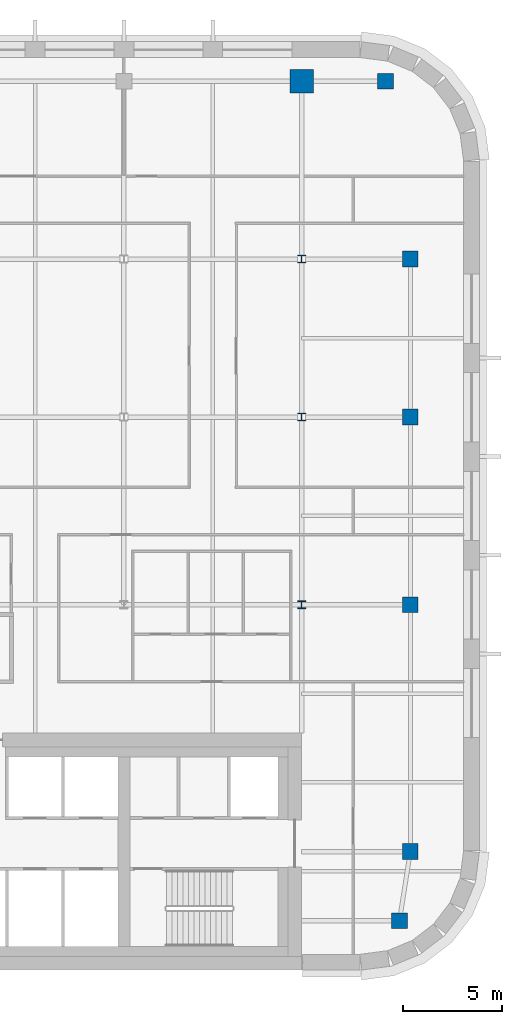
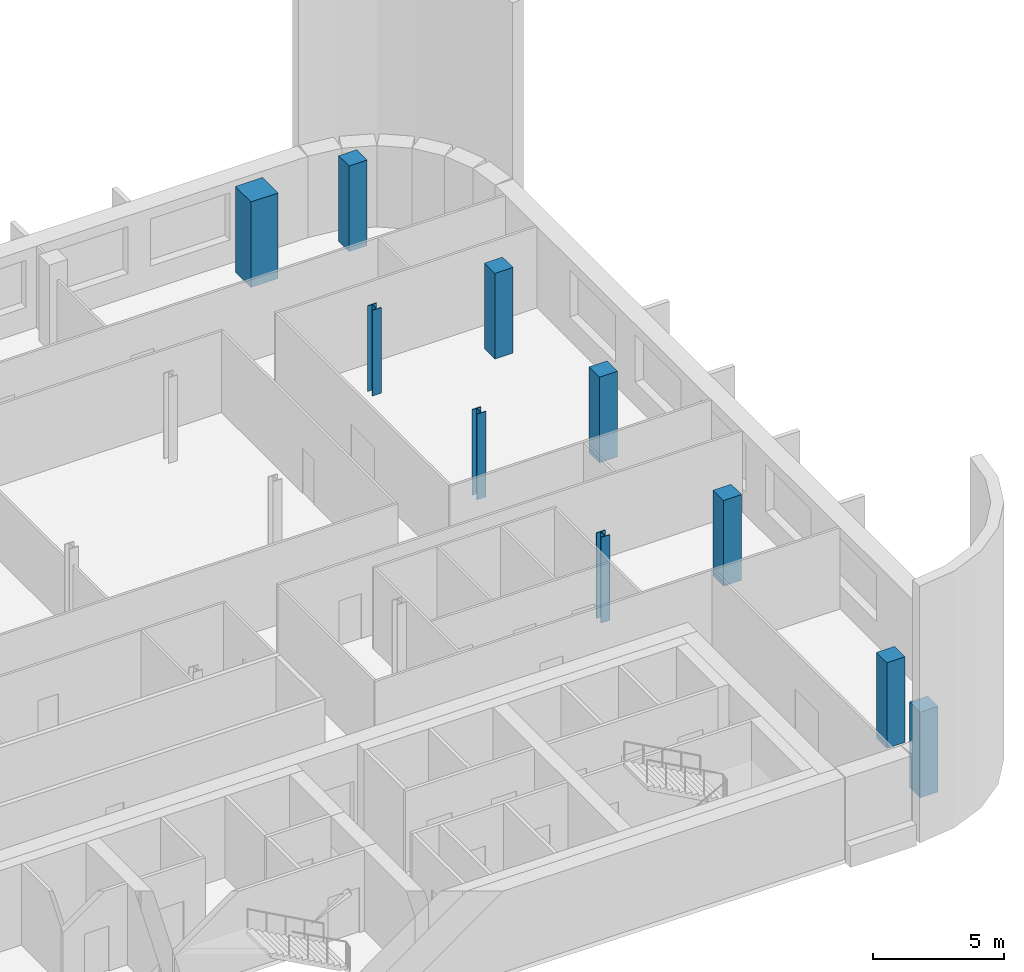
# One storey, part 4 of 17: 10 columns.
"""IFC4 building model written with IfcOpenShell, lengths in metres."""

from ifc_helpers import new_model, si_unit, direction, frame, origin, origin_2d, place, context, subcontext, project, spatial, rectangle, i_section, extrude, material, material_profile, profile_set, type_object, element, save


model = new_model("IFC4")

# Units and contexts
model_context = context("Model", 3, precision=1e-05, world=origin(), true_north=direction((0.0, 1.0)))
body_context = subcontext(model_context, "Body", "Model", "MODEL_VIEW")
ifc_project = project(units=[si_unit("LENGTHUNIT", "METRE"), si_unit("AREAUNIT", "SQUARE_METRE"), si_unit("VOLUMEUNIT", "CUBIC_METRE"), si_unit("PLANEANGLEUNIT", "RADIAN"), si_unit("MASSUNIT", "GRAM", prefix="KILO")], contexts=[model_context])

# Site, building, storey
site_placement = place(None, origin())
site = spatial("IfcSite", under=ifc_project, at=site_placement, CompositionType="ELEMENT")
building_placement = place(site_placement, origin())
building = spatial("IfcBuilding", under=site, at=building_placement, Name="Zellij Exchange Tower", CompositionType="ELEMENT")
storey_placement = place(building_placement, frame((0.0, 0.0, 232.5)))
storey = spatial("IfcBuildingStorey", under=building, at=storey_placement, Name="L54", CompositionType="ELEMENT", Elevation=232.5)

# Columns
ifc_material_1 = material(Name="Concrete C50/60", Category="concrete")
ifc_material_profile_1 = material_profile(ifc_material_1, rectangle(XDim=0.800048828125, YDim=0.800048828125, at=origin_2d()), Name="STR-COLUMN RC800x800 C50/60")
ifc_profile_set_1 = profile_set([ifc_material_profile_1], Name="Concrete C50/60")
column_type_1 = type_object("IfcColumnType", Name="STR-COLUMN RC800x800 C50/60", PredefinedType="COLUMN", material=ifc_profile_set_1)
for number, where, z_axis, x_axis, name in (
    (1, (31.949951171875, -11.5, 0.0), (0.0, 0.0, 1.0), (1.0, 0.0, 0.0), "C15"),
    (2, (32.5, -8.0, 0.0), (0.0, 0.0, 1.0), (1.0, 0.0, 0.0), "C15"),
    (3, (32.5, 4.5, 0.0), (0.0, 0.0, 1.0), (1.0, 0.0, 0.0), "C15"),
    (4, (32.5, 14.0, 0.0), (0.0, 0.0, 1.0), (1.0, 0.0, 0.0), "C15"),
    (5, (32.5, 22.0, 0.0), (0.0, 0.0, 1.0), (1.0, 0.0, 0.0), "C15"),
    (6, (31.25, 31.0, 0.0), (0.0, 0.0, 1.0), (1.0, 0.0, 0.0), "C15"),
):
    element("IfcColumn", number, at=place(storey_placement, frame(where, z_axis=z_axis, x_axis=x_axis)), inside=storey, type_object=column_type_1, Name=name, PredefinedType="COLUMN", context=body_context, shape_type="SweptSolid", body=[
        extrude(rectangle(XDim=0.800048828125, YDim=0.800048828125, at=origin_2d()), origin(), (0.0, 0.0, 1.0), 4.0),
    ])
ifc_material_2 = material(Name="Structural steel ASTM A992 Gr 50", Category="steel")
ifc_material_profile_2 = material_profile(ifc_material_2, i_section(OverallWidth=0.398681640625, OverallDepth=0.385986328125, WebThickness=0.02099609375, FlangeThickness=0.033203125, at=origin_2d()), Name="W14x176")
ifc_profile_set_2 = profile_set([ifc_material_profile_2], Name="Structural steel ASTM A992 Gr 50")
column_type_2 = type_object("IfcColumnType", Name="STR-COLUMN W14x176", PredefinedType="COLUMN", material=ifc_profile_set_2)
for number, where, z_axis, x_axis, name in (
    (7, (27.0, 4.5, 0.0), (0.0, 0.0, 1.0), (1.0, 0.0, 0.0), "C2"),
    (8, (27.0, 14.0, 0.0), (0.0, 0.0, 1.0), (1.0, 0.0, 0.0), "C2"),
    (9, (27.0, 22.0, 0.0), (0.0, 0.0, 1.0), (1.0, 0.0, 0.0), "C2"),
):
    element("IfcColumn", number, at=place(storey_placement, frame(where, z_axis=z_axis, x_axis=x_axis)), inside=storey, type_object=column_type_2, Name=name, PredefinedType="COLUMN", context=body_context, shape_type="SweptSolid", body=[
        extrude(i_section(OverallWidth=0.398681640625, OverallDepth=0.385986328125, WebThickness=0.02099609375, FlangeThickness=0.033203125, at=origin_2d()), origin(), (0.0, 0.0, 1.0), 4.0),
    ])
ifc_material_profile_3 = material_profile(ifc_material_1, rectangle(XDim=1.199951171875, YDim=1.199951171875, at=origin_2d()), Name="STR-MEGA COLUMN RC1200x1200 C50/60")
ifc_profile_set_3 = profile_set([ifc_material_profile_3], Name="Concrete C50/60")
column_type_3 = type_object("IfcColumnType", Name="STR-MEGA COLUMN RC1200x1200 C50/60", PredefinedType="COLUMN", material=ifc_profile_set_3)
column_placement = place(storey_placement, frame((27.0, 31.0, 0.0), z_axis=(0.0, 0.0, 1.0), x_axis=(1.0, 0.0, 0.0)))
element("IfcColumn", 10, at=column_placement, inside=storey, type_object=column_type_3, Name="MC2", PredefinedType="COLUMN", context=body_context, shape_type="SweptSolid", body=[
    extrude(rectangle(XDim=1.199951171875, YDim=1.199951171875, at=origin_2d()), origin(), (0.0, 0.0, 1.0), 4.0),
])

save(model, "model.ifc")
